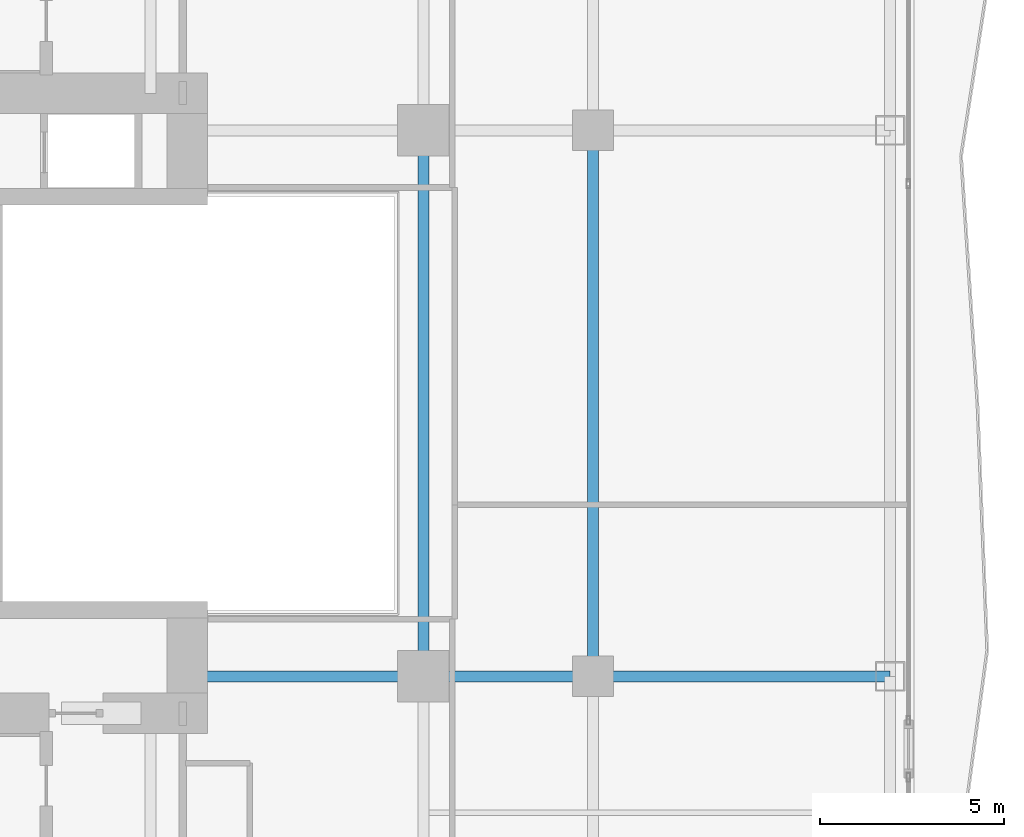
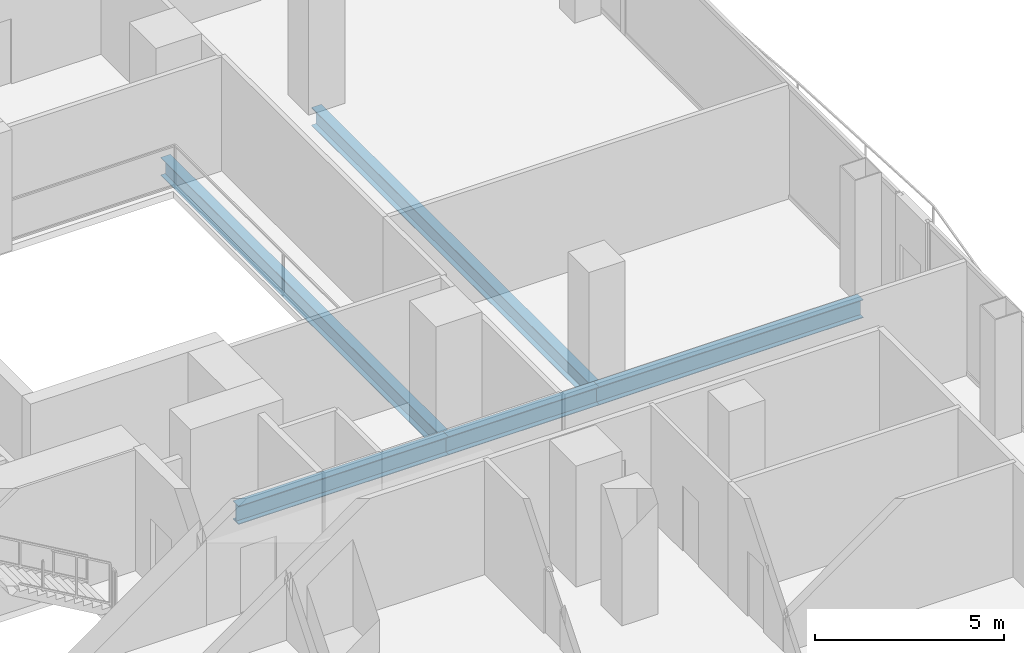
# One storey, part 11 of 27: 5 beams.
"""IFC4 building model written with IfcOpenShell, lengths in metres."""

import ifcopenshell
import ifcopenshell.guid

model = None  # the IFC model being written
_history = None  # IfcOwnerHistory: only IFC2X3 demands one
_inside = {}  # id of a spatial element -> (the spatial element, [elements in it])
_under = {}  # id of a project, library or spatial element -> (it, [spatial elements below it])
_declared = {}  # id of a project -> (the project, [libraries it declares])
_typed = {}  # id of a type object -> (the type object, [elements of that type])
_made_of = {}  # id of a material, layer set ... -> (it, [elements and type objects made of it])


def new_model(schema):
    """Start an empty IFC model of exactly this schema.

    Asked for "IFC4X3", IfcOpenShell would pick the latest addendum, in which some entities
    have other attributes; the version numbers below select the first issue.
    IFC2X3 requires an IfcOwnerHistory on every rooted entity: one is made here for all.
    """
    global model, _history
    if schema == "IFC4X3":
        model = ifcopenshell.file(schema_version=(4, 3, 0, 0))
    else:
        model = ifcopenshell.file(schema=schema)
    _inside.clear()
    _under.clear()
    _declared.clear()
    _typed.clear()
    _made_of.clear()
    _history = None
    if model.schema == "IFC2X3":
        org = make("IfcOrganization", Name="unknown")
        user = make(
            "IfcPersonAndOrganization",
            ThePerson=make("IfcPerson", FamilyName="unknown"),
            TheOrganization=org,
        )
        app = make(
            "IfcApplication",
            ApplicationDeveloper=org,
            Version="unknown",
            ApplicationFullName="unknown",
            ApplicationIdentifier="unknown",
        )
        _history = make(
            "IfcOwnerHistory",
            OwningUser=user,
            OwningApplication=app,
            ChangeAction="ADDED",
            CreationDate=0,
        )
    return model


def make(cls, **values):
    """One entity of the class cls with the attributes given. An attribute that is None is left unset."""
    return model.create_entity(
        cls, **{name: value for name, value in values.items() if value is not None}
    )


def rooted(cls, **values):
    """An entity with a GlobalId (a new one), such as an element, a storey or a relation."""
    return make(cls, GlobalId=ifcopenshell.guid.new(), OwnerHistory=_history, **values)


def si_unit(unit_type, name, prefix=None):
    """IfcSIUnit, for example si_unit("LENGTHUNIT", "METRE", prefix="MILLI")."""
    return make("IfcSIUnit", UnitType=unit_type, Prefix=prefix, Name=name)


def assignment(units):
    """IfcUnitAssignment: the units of a project."""
    return None if units is None else make("IfcUnitAssignment", Units=units)


def point(xyz):
    """IfcCartesianPoint."""
    return None if xyz is None else make("IfcCartesianPoint", Coordinates=xyz)


def direction(xyz):
    """IfcDirection."""
    return None if xyz is None else make("IfcDirection", DirectionRatios=xyz)


def frame(location, z_axis=None, x_axis=None):
    """IfcAxis2Placement3D, a coordinate frame: its origin and axes. An axis left out is left unset."""
    return make(
        "IfcAxis2Placement3D",
        Location=point(location),
        Axis=direction(z_axis),
        RefDirection=direction(x_axis),
    )


def frame_2d(location, x_axis=None):
    """IfcAxis2Placement2D, a coordinate frame in the plane: its origin and x axis."""
    return make(
        "IfcAxis2Placement2D", Location=point(location), RefDirection=direction(x_axis)
    )


def origin():
    """The frame at (0, 0, 0) with its axes left unset."""
    return frame((0.0, 0.0, 0.0))


def origin_2d():
    """The frame at (0, 0) in the plane with its x axis left unset."""
    return frame_2d((0.0, 0.0))


def place(relative_to, where):
    """IfcLocalPlacement: puts the frame where relative to a parent placement (None: the world)."""
    return make(
        "IfcLocalPlacement", PlacementRelTo=relative_to, RelativePlacement=where
    )


def context(
    kind, dimensions, precision=None, world=None, true_north=None, identifier=None
):
    """IfcGeometricRepresentationContext, for example the 3D "Model" context."""
    return make(
        "IfcGeometricRepresentationContext",
        ContextIdentifier=identifier,
        ContextType=kind,
        CoordinateSpaceDimension=dimensions,
        Precision=precision,
        WorldCoordinateSystem=world,
        TrueNorth=true_north,
    )


def subcontext(parent, identifier, kind, view, scale=None):
    """IfcGeometricRepresentationSubContext, for example "Body" below "Model"."""
    return make(
        "IfcGeometricRepresentationSubContext",
        ContextIdentifier=identifier,
        ContextType=kind,
        ParentContext=parent,
        TargetScale=scale,
        TargetView=view,
    )


def project(units=None, contexts=None):
    """IfcProject with its units and contexts."""
    return rooted(
        "IfcProject",
        Name="project",
        RepresentationContexts=contexts,
        UnitsInContext=assignment(units),
    )


def spatial(cls, under=None, at=None, **own):
    """A site, building, storey or space (cls), placed at a placement, below another one or the project."""
    s = rooted(cls, ObjectPlacement=at, **own)
    if under is not None:
        _under.setdefault(under.id(), (under, []))[1].append(s)
    return s


def profile(cls, at=None, kind="AREA", **sizes):
    """A parametric profile (cls). Its sizes go by their IFC names, for example OverallWidth=200.0."""
    return make(cls, ProfileType=kind, Position=at, **sizes)


def i_section(**sizes):
    """IfcIShapeProfileDef."""
    return profile("IfcIShapeProfileDef", **sizes)


def extrude(swept, where, along, depth):
    """IfcExtrudedAreaSolid: the profile swept, set in the frame where, extruded along a direction by depth."""
    return make(
        "IfcExtrudedAreaSolid",
        SweptArea=swept,
        Position=where,
        ExtrudedDirection=direction(along),
        Depth=depth,
    )


def shape(context_of_items, identifier, shape_type, items):
    """IfcShapeRepresentation: the items that make up one representation, for example the "Body"."""
    return make(
        "IfcShapeRepresentation",
        ContextOfItems=context_of_items,
        RepresentationIdentifier=identifier,
        RepresentationType=shape_type,
        Items=items,
    )


def material(Name=None, Category=None):
    """IfcMaterial."""
    return make("IfcMaterial", Name=Name, Category=Category)


def material_profile(
    of_material, cross_section, Name=None, Category=None, Priority=None
):
    """IfcMaterialProfile: a cross section and its material."""
    return make(
        "IfcMaterialProfile",
        Name=Name,
        Material=of_material,
        Profile=cross_section,
        Priority=Priority,
        Category=Category,
    )


def profile_set(profiles, Name=None, composite=None):
    """IfcMaterialProfileSet."""
    return make(
        "IfcMaterialProfileSet",
        Name=Name,
        MaterialProfiles=profiles,
        CompositeProfile=composite,
    )


def made_of(thing, what):
    """Note that an element or type object is made of a material, layer set ...; save() writes the relation."""
    if what is not None:
        _made_of.setdefault(what.id(), (what, []))[1].append(thing)
    return thing


def type_object(cls, material=None, **own):
    """A type object (cls), such as IfcWallType, which elements share."""
    return made_of(rooted(cls, **own), material)


def element(
    cls,
    number,
    at=None,
    inside=None,
    cuts=None,
    type_object=None,
    material=None,
    context=None,
    identifier="Body",
    shape_type=None,
    held_by="IfcProductDefinitionShape",
    body=None,
    shapes=None,
    **own,
):
    """One element of the class cls, such as IfcWall. Its Tag is "e" and its number.

    at: its placement. inside: the storey or other place that contains it. cuts: it is an
    opening in that element (IfcRelVoidsElement). A single representation is given by context,
    identifier, shape_type and body (its items); several are given by shapes. held_by: the class
    of the entity that holds the representations. save() writes the other relations.
    """
    e = rooted(cls, Tag="e%d" % number, ObjectPlacement=at, **own)
    if body is not None:
        shapes = [shape(context, identifier, shape_type, body)]
    if shapes is not None:
        e.Representation = make(held_by, Representations=shapes)
    if inside is not None:
        _inside.setdefault(inside.id(), (inside, []))[1].append(e)
    if cuts is not None:
        rooted(
            "IfcRelVoidsElement", RelatingBuildingElement=cuts, RelatedOpeningElement=e
        )
    if type_object is not None:
        _typed.setdefault(type_object.id(), (type_object, []))[1].append(e)
    return made_of(e, material)


def aggregate(whole, parts):
    """IfcRelAggregates: a whole, such as a stair, and the parts it consists of."""
    return rooted("IfcRelAggregates", RelatingObject=whole, RelatedObjects=parts)


def save(model, path):
    """Write the relations noted so far, then the file.

    IfcRelAggregates (storeys below a building ...), IfcRelContainedInSpatialStructure (elements
    in a storey), IfcRelDefinesByType, IfcRelAssociatesMaterial and IfcRelDeclares: one each for
    every whole, place, type object, material and project.
    """
    for whole, parts in _under.values():
        aggregate(whole, parts)
    for where, things in _inside.values():
        rooted(
            "IfcRelContainedInSpatialStructure",
            RelatedElements=things,
            RelatingStructure=where,
        )
    for kind, things in _typed.values():
        rooted("IfcRelDefinesByType", RelatedObjects=things, RelatingType=kind)
    for what, things in _made_of.values():
        rooted("IfcRelAssociatesMaterial", RelatedObjects=things, RelatingMaterial=what)
    for by, libraries in _declared.values():
        rooted("IfcRelDeclares", RelatingContext=by, RelatedDefinitions=libraries)
    model.write(path)


model = new_model("IFC4")

# Units and contexts
model_context = context("Model", 3, precision=1e-05, world=origin(), true_north=direction((0.0, 1.0)))
body_context = subcontext(model_context, "Body", "Model", "MODEL_VIEW")
ifc_project = project(units=[si_unit("LENGTHUNIT", "METRE"), si_unit("AREAUNIT", "SQUARE_METRE"), si_unit("VOLUMEUNIT", "CUBIC_METRE"), si_unit("PLANEANGLEUNIT", "RADIAN"), si_unit("MASSUNIT", "GRAM", prefix="KILO")], contexts=[model_context])

# Site, building, storey
site_placement = place(None, origin())
site = spatial("IfcSite", under=ifc_project, at=site_placement, CompositionType="ELEMENT")
building_placement = place(site_placement, origin())
building = spatial("IfcBuilding", under=site, at=building_placement, Name="Khorvyn Point Tower", CompositionType="ELEMENT")
storey_placement = place(building_placement, frame((0.0, 0.0, 46.199951171875)))
storey = spatial("IfcBuildingStorey", under=building, at=storey_placement, Name="L12", CompositionType="ELEMENT", Elevation=46.199951171875)

# Beams
ifc_material = material(Name="Steel S355", Category="steel")
ifc_material_profile = material_profile(ifc_material, i_section(OverallWidth=0.300048828125, OverallDepth=0.587890625, WebThickness=0.011962890625, FlangeThickness=0.02001953125, at=origin_2d()))
ifc_profile_set = profile_set([ifc_material_profile], Name="Steel S355 H588x300x12x20")
beam_type = type_object("IfcBeamType", Name="Steel S355 Beam H588x300x12x20", PredefinedType="BEAM", material=ifc_profile_set)
beam_1_placement = place(storey_placement, frame((8.39990234375, -7.39990234375, -0.513916015625), z_axis=(1.0, 0.0, 0.0), x_axis=(0.0, 1.0, 0.0)))
element("IfcBeam", 1, at=beam_1_placement, inside=storey, type_object=beam_type, Name="Beam", PredefinedType="BEAM", context=body_context, shape_type="SweptSolid", body=[
    extrude(i_section(OverallWidth=0.300048828125, OverallDepth=0.587890625, WebThickness=0.011962890625, FlangeThickness=0.02001953125, at=origin_2d()), origin(), (0.0, 0.0, 1.0), 6.400146484375),
])
beam_2_placement = place(storey_placement, frame((14.800048828125, -7.39990234375, -0.513916015625), z_axis=(1.0, 0.0, 0.0), x_axis=(0.0, 1.0, 0.0)))
element("IfcBeam", 2, at=beam_2_placement, inside=storey, type_object=beam_type, Name="Beam", PredefinedType="BEAM", context=body_context, shape_type="SweptSolid", body=[
    extrude(i_section(OverallWidth=0.300048828125, OverallDepth=0.587890625, WebThickness=0.011962890625, FlangeThickness=0.02001953125, at=origin_2d()), origin(), (0.0, 0.0, 1.0), 4.599853515625),
])
beam_3_placement = place(storey_placement, frame((19.39990234375, -7.39990234375, -0.513916015625), z_axis=(1.0, 0.0, 0.0), x_axis=(0.0, 1.0, 0.0)))
element("IfcBeam", 3, at=beam_3_placement, inside=storey, type_object=beam_type, Name="Beam", PredefinedType="BEAM", context=body_context, shape_type="SweptSolid", body=[
    extrude(i_section(OverallWidth=0.300048828125, OverallDepth=0.587890625, WebThickness=0.011962890625, FlangeThickness=0.02001953125, at=origin_2d()), origin(), (0.0, 0.0, 1.0), 8.050048828125),
])
for number, where, z_axis, x_axis, name in (
    (4, (14.800048828125, -7.39990234375, -0.513916015625), (0.0, 1.0, 0.0), (-1.0, 0.0, 0.0), "Beam"),
    (5, (19.39990234375, -7.39990234375, -0.513916015625), (0.0, 1.0, 0.0), (-1.0, 0.0, 0.0), "Beam"),
):
    element("IfcBeam", number, at=place(storey_placement, frame(where, z_axis=z_axis, x_axis=x_axis)), inside=storey, type_object=beam_type, Name=name, PredefinedType="BEAM", context=body_context, shape_type="SweptSolid", body=[
        extrude(i_section(OverallWidth=0.300048828125, OverallDepth=0.587890625, WebThickness=0.011962890625, FlangeThickness=0.02001953125, at=origin_2d()), origin(), (0.0, 0.0, 1.0), 14.7998046875),
    ])

save(model, "model.ifc")
